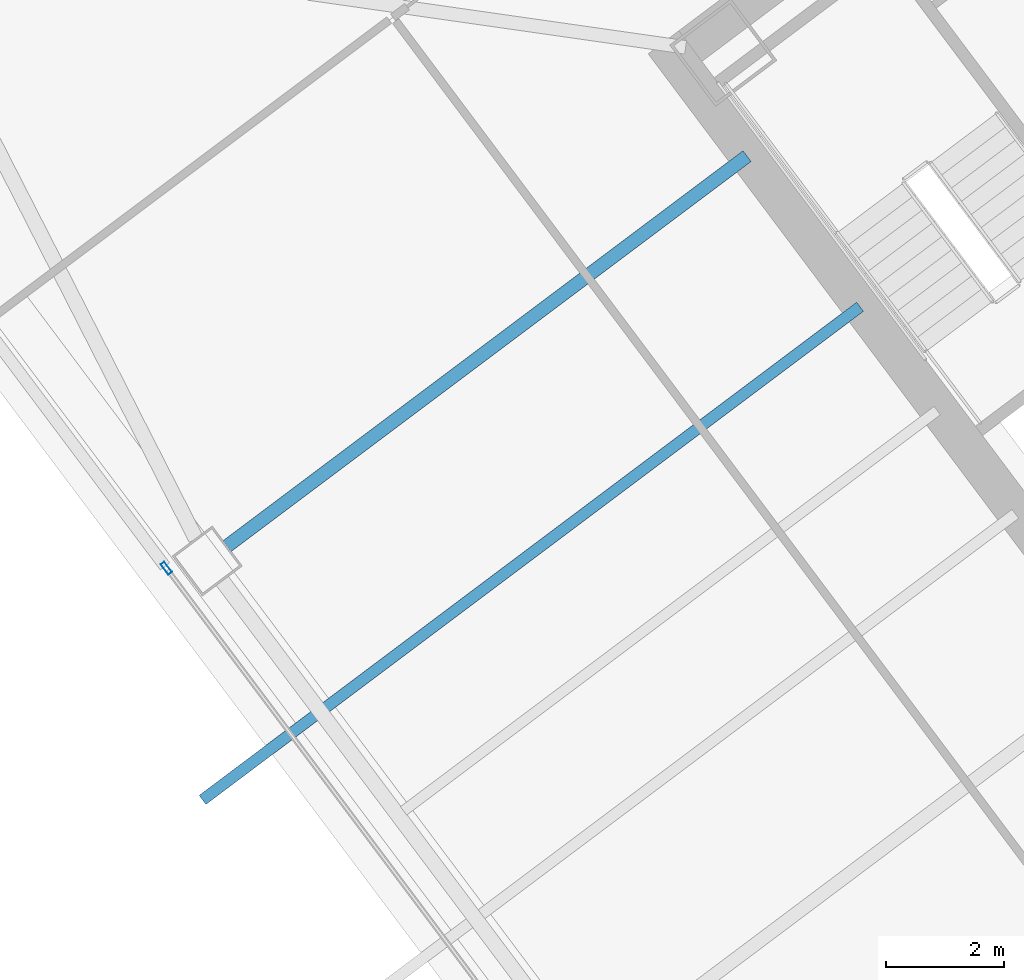
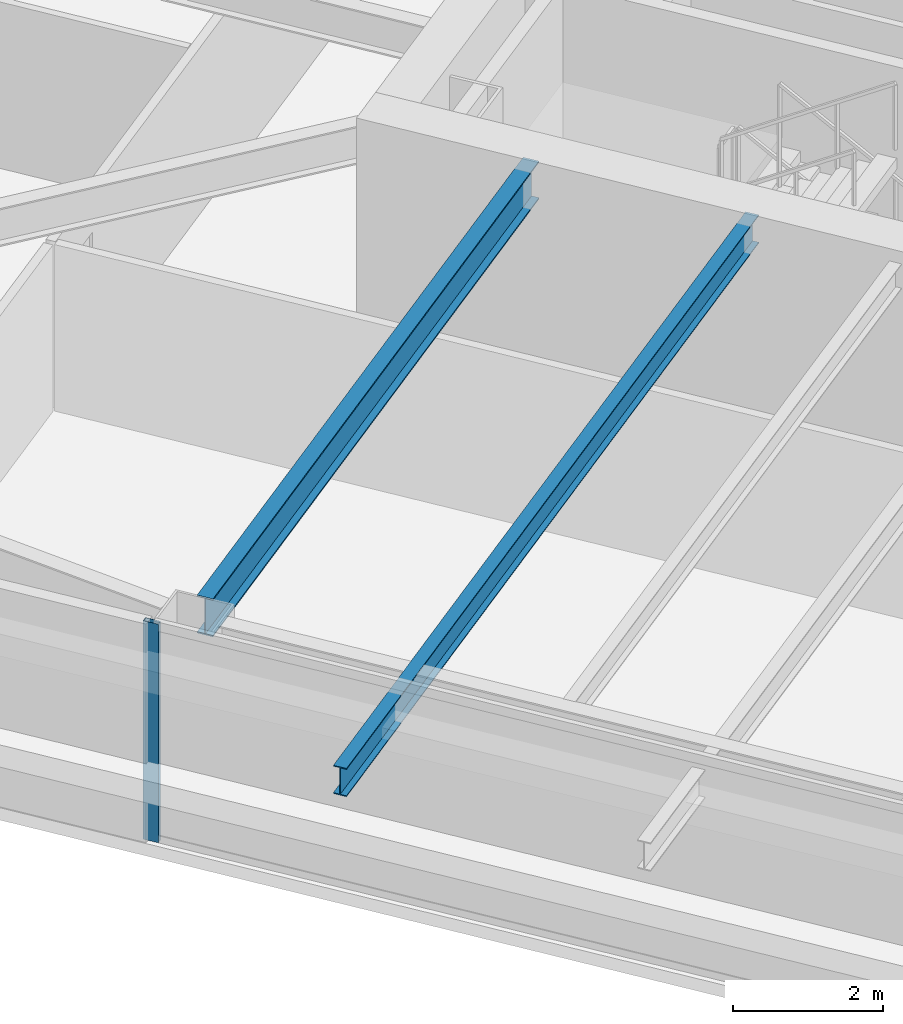
# One storey, part 22 of 47: 2 beams, 1 member, 1 element without a shape of its own.
"""IFC4 building model written with IfcOpenShell, lengths in metres."""

from ifc_helpers import new_model, si_unit, direction, frame, origin, origin_2d, place, context, subcontext, project, spatial, hollow_rectangle, i_section, extrude, material, material_profile, profile_set, type_object, element, aggregate, save


model = new_model("IFC4")

# Units and contexts
model_context = context("Model", 3, precision=1e-05, world=origin(), true_north=direction((0.0, 1.0)))
body_context = subcontext(model_context, "Body", "Model", "MODEL_VIEW")
ifc_project = project(units=[si_unit("LENGTHUNIT", "METRE"), si_unit("AREAUNIT", "SQUARE_METRE"), si_unit("VOLUMEUNIT", "CUBIC_METRE"), si_unit("PLANEANGLEUNIT", "RADIAN"), si_unit("MASSUNIT", "GRAM", prefix="KILO")], contexts=[model_context])

# Site, building, storey
site_placement = place(None, origin())
site = spatial("IfcSite", under=ifc_project, at=site_placement, CompositionType="ELEMENT")
building_placement = place(site_placement, origin())
building = spatial("IfcBuilding", under=site, at=building_placement, Name="Tashvorn Skyway Center", CompositionType="ELEMENT")
storey_placement = place(building_placement, frame((0.0, 0.0, 81.39990234375)))
storey = spatial("IfcBuildingStorey", under=building, at=storey_placement, Name="L21", CompositionType="ELEMENT", Elevation=81.39990234375)

# Beams
ifc_material_1 = material(Name="Steel ASTM A992 Grade 50", Category="steel")
ifc_material_profile_1 = material_profile(ifc_material_1, i_section(OverallWidth=0.22998046875, OverallDepth=0.616943359375, WebThickness=0.01318359375, FlangeThickness=0.022216796875, at=origin_2d()), Name="W24X94")
ifc_profile_set_1 = profile_set([ifc_material_profile_1], Name="Steel ASTM A992 Grade 50")
beam_type_1 = type_object("IfcBeamType", Name="BM-BEAM-W24X94", PredefinedType="BEAM", material=ifc_profile_set_1)
beam_1_placement = place(storey_placement, frame((95.696044921875, 25.02197265625, 3.04150390625), z_axis=(0.799989394625, 0.60001414024, 0.0), x_axis=(-0.60001414024, 0.799989394625, 0.0)))
element("IfcBeam", 1, at=beam_1_placement, inside=storey, type_object=beam_type_1, Name="Tower 2 L21 Primary Floor Girder FC-W1", PredefinedType="BEAM", context=body_context, shape_type="SweptSolid", body=[
    extrude(i_section(OverallWidth=0.22998046875, OverallDepth=0.616943359375, WebThickness=0.01318359375, FlangeThickness=0.022216796875, at=origin_2d()), origin(), (0.0, 0.0, 1.0), 11.050048828125),
])
ifc_material_profile_2 = material_profile(ifc_material_1, i_section(OverallWidth=0.19091796875, OverallDepth=0.4599609375, WebThickness=0.010009765625, FlangeThickness=0.01611328125, at=origin_2d()), Name="W18X55")
ifc_profile_set_2 = profile_set([ifc_material_profile_2], Name="Steel ASTM A992 Grade 50")
beam_type_2 = type_object("IfcBeamType", Name="BM-JOIST-W18X55", PredefinedType="JOIST", material=ifc_profile_set_2)
beam_2_placement = place(storey_placement, frame((106.4560546875, 29.092041015625, 3.1201171875), z_axis=(-0.799997902878, -0.600002796153, 0.0), x_axis=(0.600002796153, -0.799997902878, 0.0)))
element("IfcBeam", 2, at=beam_2_placement, inside=storey, type_object=beam_type_2, Name="Tower 2 L22 Terrace Cantilever Outlooker 2", PredefinedType="JOIST", context=body_context, shape_type="SweptSolid", body=[
    extrude(i_section(OverallWidth=0.19091796875, OverallDepth=0.4599609375, WebThickness=0.010009765625, FlangeThickness=0.01611328125, at=origin_2d()), origin(), (0.0, 0.0, 1.0), 13.969970703125),
])

# Curtain wall, member
ifc_material_2 = material(Name="Thermally broken bronze-anodized aluminium 6063-T6", Category="aluminium")
curtain_wall_type = type_object("IfcCurtainWallType", Name="CW-CW-Z2", PredefinedType="NOTDEFINED", material=ifc_material_2)
curtain_wall_placement = place(storey_placement, origin())
curtain_wall = element("IfcCurtainWall", 3, at=curtain_wall_placement, inside=storey, type_object=curtain_wall_type, Name="Tower 2 L21 West Unitised Curtain Wall Glazing Group 2", PredefinedType="NOTDEFINED")
ifc_material_profile_3 = material_profile(ifc_material_2, hollow_rectangle(XDim=0.080078125, YDim=0.219970703125, WallThickness=0.0048828125, at=origin_2d()), Name="ALU-MULL-80x220")
ifc_profile_set_3 = profile_set([ifc_material_profile_3], Name="Thermally broken bronze-anodized aluminium 6063-T6")
member_type = type_object("IfcMemberType", Name="CWM-CW-Z2", PredefinedType="MULLION", material=ifc_profile_set_3)
member_placement = place(storey_placement, frame((94.6640625, 24.64794921875, 0.0), z_axis=(0.0, 0.0, 1.0), x_axis=(-0.799999999998, -0.600000000002, 0.0)))
member = element("IfcMember", 4, at=member_placement, type_object=member_type, Name="CW-Z2 mullion 2", PredefinedType="MULLION", context=body_context, shape_type="SweptSolid", body=[
    extrude(hollow_rectangle(XDim=0.080078125, YDim=0.219970703125, WallThickness=0.0048828125, at=origin_2d()), origin(), (0.0, 0.0, 1.0), 3.550048828125),
])
aggregate(curtain_wall, [member])

save(model, "model.ifc")
